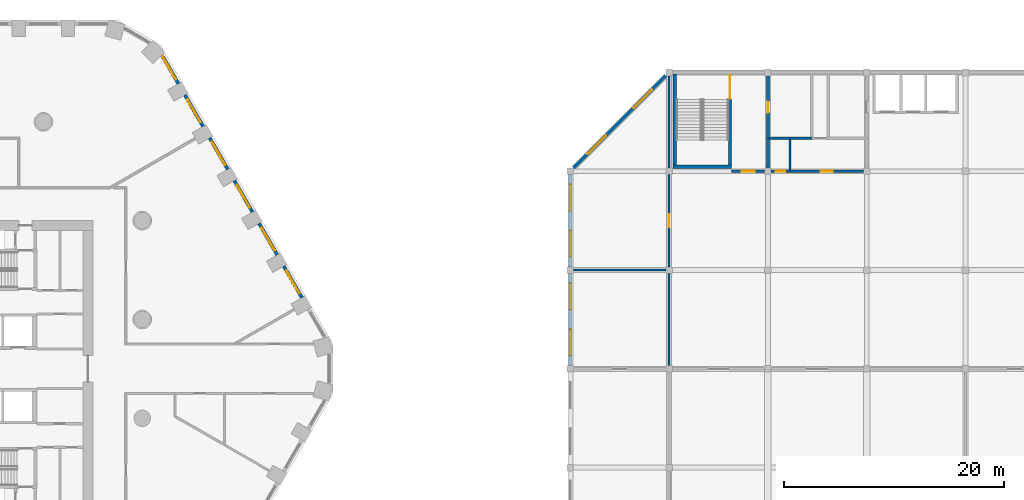
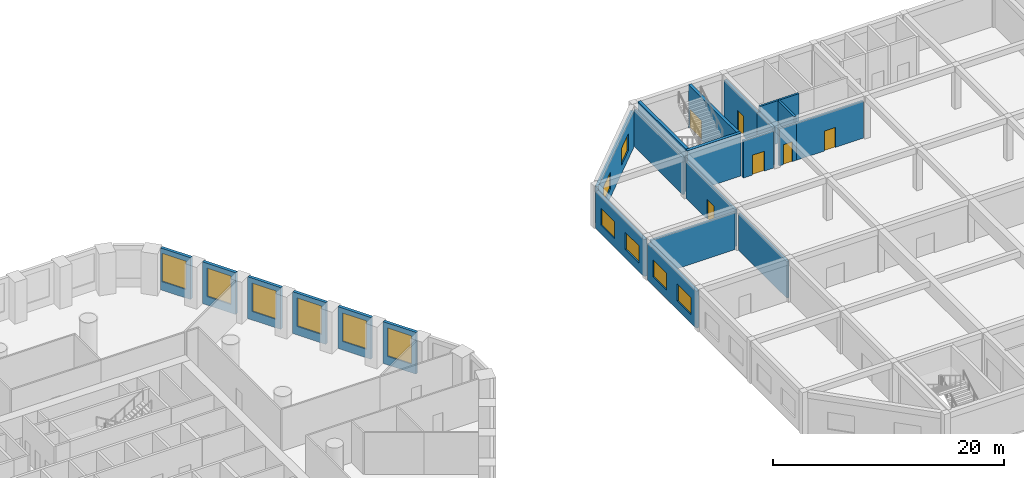
# One storey, part 14 of 26: 24 walls, 12 windows, 6 doors, 18 openings.
"""IFC4 building model written with IfcOpenShell, lengths in metres."""

from ifc_helpers import new_model, si_unit, direction, frame, frame_2d, origin, place, context, subcontext, project, spatial, rectangle, extrude, material, layer, layer_set, type_object, element, fill, save


model = new_model("IFC4")

# Units and contexts
model_context = context("Model", 3, precision=1e-05, world=origin(), true_north=direction((0.0, 1.0)))
body_context = subcontext(model_context, "Body", "Model", "MODEL_VIEW")
ifc_project = project(units=[si_unit("LENGTHUNIT", "METRE"), si_unit("AREAUNIT", "SQUARE_METRE"), si_unit("VOLUMEUNIT", "CUBIC_METRE"), si_unit("PLANEANGLEUNIT", "RADIAN"), si_unit("MASSUNIT", "GRAM", prefix="KILO")], contexts=[model_context])

# Site, building, storey
site_placement = place(None, origin())
site = spatial("IfcSite", under=ifc_project, at=site_placement, CompositionType="ELEMENT")
building_placement = place(site_placement, origin())
building = spatial("IfcBuilding", under=site, at=building_placement, Name="Dhurran Vertical Campus", CompositionType="ELEMENT")
storey_placement = place(building_placement, frame((0.0, 0.0, 15.60009765625)))
storey = spatial("IfcBuildingStorey", under=building, at=storey_placement, Name="L03", CompositionType="ELEMENT", Elevation=15.60009765625)

# Wall, opening, window
ifc_material_1 = material(Name="Precast concrete C50/60", Category="concrete")
ifc_layer_1 = layer(ifc_material_1, 0.300048828125)
ifc_layer_set_1 = layer_set([ifc_layer_1], Name="Precast concrete C50/60")
wall_type_1 = type_object("IfcWallType", Name="Precast spandrel wall 300", PredefinedType="SOLIDWALL", material=ifc_layer_set_1)
wall_1_placement = place(storey_placement, frame((37.043701171875, 6.4921875, 0.0), z_axis=(0.0, 0.0, 1.0), x_axis=(-0.499991515992, 0.866030301974, 0.0)))
wall_1 = element("IfcWall", 1, at=wall_1_placement, inside=storey, type_object=wall_type_1, Name="EW1 L03.19", PredefinedType="SOLIDWALL", context=body_context, shape_type="SweptSolid", body=[
    extrude(rectangle(XDim=3.298828125, YDim=0.300048828125, at=frame_2d((1.6494140625, 0.0))), origin(), (0.0, 0.0, 1.0), 4.39990234375),
])
opening_1_placement = place(wall_1_placement, frame((0.449462890625, 0.0, 0.89990234375)))
opening_1 = element("IfcOpeningElement", 2, at=opening_1_placement, cuts=wall_1, Name="Opening WT2", PredefinedType="OPENING", context=body_context, shape_type="SweptSolid", body=[
    extrude(rectangle(XDim=2.39990234375, YDim=3.0, at=frame_2d((1.199951171875, 1.5))), frame((0.0, 0.159912109375, 0.0), z_axis=(0.0, -1.0, 0.0), x_axis=(1.0, 0.0, 0.0)), (0.0, 0.0, 1.0), 0.320068359375),
])
ifc_material_2 = material(Name="Aluminium frame with solar-control glass", Category="aluminium")
window_type_1 = type_object("IfcWindowType", Name="Podium window 2400 x 3000", PartitioningType="SINGLE_PANEL", PredefinedType="WINDOW", material=ifc_material_2)
window_1_placement = place(opening_1_placement, origin())
window_1 = element("IfcWindow", 3, at=window_1_placement, inside=storey, type_object=window_type_1, Name="WT2 L03.19", OverallHeight=3.0, OverallWidth=2.39990234375, PartitioningType="SINGLE_PANEL", PredefinedType="WINDOW", context=body_context, shape_type="SweptSolid", body=[
    extrude(rectangle(XDim=2.39990234375, YDim=3.0, at=frame_2d((1.199951171875, 1.5))), frame((0.0, 0.030029296875, 0.0), z_axis=(0.0, -1.0, 0.0), x_axis=(1.0, 0.0, 0.0)), (0.0, 0.0, 1.0), 0.06005859375),
])
fill(opening_1, window_1)

wall_2_placement = place(storey_placement, frame((34.793701171875, 10.389404296875, 0.0), z_axis=(0.0, 0.0, 1.0), x_axis=(-0.499991515992, 0.866030301974, 0.0)))
wall_2 = element("IfcWall", 4, at=wall_2_placement, inside=storey, type_object=wall_type_1, Name="EW1 L03.20", PredefinedType="SOLIDWALL", context=body_context, shape_type="SweptSolid", body=[
    extrude(rectangle(XDim=3.298828125, YDim=0.300048828125, at=frame_2d((1.6494140625, 0.0))), origin(), (0.0, 0.0, 1.0), 4.39990234375),
])
opening_2_placement = place(wall_2_placement, frame((0.449462890625, 0.0, 0.89990234375)))
opening_2 = element("IfcOpeningElement", 5, at=opening_2_placement, cuts=wall_2, Name="Opening WT2", PredefinedType="OPENING", context=body_context, shape_type="SweptSolid", body=[
    extrude(rectangle(XDim=2.39990234375, YDim=3.0, at=frame_2d((1.199951171875, 1.5))), frame((0.0, 0.159912109375, 0.0), z_axis=(0.0, -1.0, 0.0), x_axis=(1.0, 0.0, 0.0)), (0.0, 0.0, 1.0), 0.320068359375),
])
window_2_placement = place(opening_2_placement, origin())
window_2 = element("IfcWindow", 6, at=window_2_placement, inside=storey, type_object=window_type_1, Name="WT2 L03.20", OverallHeight=3.0, OverallWidth=2.39990234375, PartitioningType="SINGLE_PANEL", PredefinedType="WINDOW", context=body_context, shape_type="SweptSolid", body=[
    extrude(rectangle(XDim=2.39990234375, YDim=3.0, at=frame_2d((1.199951171875, 1.5))), frame((0.0, 0.030029296875, 0.0), z_axis=(0.0, -1.0, 0.0), x_axis=(1.0, 0.0, 0.0)), (0.0, 0.0, 1.0), 0.06005859375),
])
fill(opening_2, window_2)

wall_3_placement = place(storey_placement, frame((32.543701171875, 14.286376953125, 0.0), z_axis=(0.0, 0.0, 1.0), x_axis=(-0.499991515992, 0.866030301974, 0.0)))
wall_3 = element("IfcWall", 7, at=wall_3_placement, inside=storey, type_object=wall_type_1, Name="EW1 L03.21", PredefinedType="SOLIDWALL", context=body_context, shape_type="SweptSolid", body=[
    extrude(rectangle(XDim=3.298828125, YDim=0.300048828125, at=frame_2d((1.6494140625, 0.0))), origin(), (0.0, 0.0, 1.0), 4.39990234375),
])
opening_3_placement = place(wall_3_placement, frame((0.449462890625, 0.0, 0.89990234375)))
opening_3 = element("IfcOpeningElement", 8, at=opening_3_placement, cuts=wall_3, Name="Opening WT2", PredefinedType="OPENING", context=body_context, shape_type="SweptSolid", body=[
    extrude(rectangle(XDim=2.39990234375, YDim=3.0, at=frame_2d((1.199951171875, 1.5))), frame((0.0, 0.159912109375, 0.0), z_axis=(0.0, -1.0, 0.0), x_axis=(1.0, 0.0, 0.0)), (0.0, 0.0, 1.0), 0.320068359375),
])
window_3_placement = place(opening_3_placement, origin())
window_3 = element("IfcWindow", 9, at=window_3_placement, inside=storey, type_object=window_type_1, Name="WT2 L03.21", OverallHeight=3.0, OverallWidth=2.39990234375, PartitioningType="SINGLE_PANEL", PredefinedType="WINDOW", context=body_context, shape_type="SweptSolid", body=[
    extrude(rectangle(XDim=2.39990234375, YDim=3.0, at=frame_2d((1.199951171875, 1.5))), frame((0.0, 0.030029296875, 0.0), z_axis=(0.0, -1.0, 0.0), x_axis=(1.0, 0.0, 0.0)), (0.0, 0.0, 1.0), 0.06005859375),
])
fill(opening_3, window_3)

wall_4_placement = place(storey_placement, frame((30.293701171875, 18.18359375, 0.0), z_axis=(0.0, 0.0, 1.0), x_axis=(-0.499991515992, 0.866030301974, 0.0)))
wall_4 = element("IfcWall", 10, at=wall_4_placement, inside=storey, type_object=wall_type_1, Name="EW1 L03.22", PredefinedType="SOLIDWALL", context=body_context, shape_type="SweptSolid", body=[
    extrude(rectangle(XDim=3.298828125, YDim=0.300048828125, at=frame_2d((1.6494140625, 0.0))), origin(), (0.0, 0.0, 1.0), 4.39990234375),
])
opening_4_placement = place(wall_4_placement, frame((0.449462890625, 0.0, 0.89990234375)))
opening_4 = element("IfcOpeningElement", 11, at=opening_4_placement, cuts=wall_4, Name="Opening WT2", PredefinedType="OPENING", context=body_context, shape_type="SweptSolid", body=[
    extrude(rectangle(XDim=2.39990234375, YDim=3.0, at=frame_2d((1.199951171875, 1.5))), frame((0.0, 0.159912109375, 0.0), z_axis=(0.0, -1.0, 0.0), x_axis=(1.0, 0.0, 0.0)), (0.0, 0.0, 1.0), 0.320068359375),
])
window_4_placement = place(opening_4_placement, origin())
window_4 = element("IfcWindow", 12, at=window_4_placement, inside=storey, type_object=window_type_1, Name="WT2 L03.22", OverallHeight=3.0, OverallWidth=2.39990234375, PartitioningType="SINGLE_PANEL", PredefinedType="WINDOW", context=body_context, shape_type="SweptSolid", body=[
    extrude(rectangle(XDim=2.39990234375, YDim=3.0, at=frame_2d((1.199951171875, 1.5))), frame((0.0, 0.030029296875, 0.0), z_axis=(0.0, -1.0, 0.0), x_axis=(1.0, 0.0, 0.0)), (0.0, 0.0, 1.0), 0.06005859375),
])
fill(opening_4, window_4)

wall_5_placement = place(storey_placement, frame((28.043701171875, 22.08056640625, 0.0), z_axis=(0.0, 0.0, 1.0), x_axis=(-0.499991515992, 0.866030301974, 0.0)))
wall_5 = element("IfcWall", 13, at=wall_5_placement, inside=storey, type_object=wall_type_1, Name="EW1 L03.23", PredefinedType="SOLIDWALL", context=body_context, shape_type="SweptSolid", body=[
    extrude(rectangle(XDim=3.298828125, YDim=0.300048828125, at=frame_2d((1.6494140625, 0.0))), origin(), (0.0, 0.0, 1.0), 4.39990234375),
])
opening_5_placement = place(wall_5_placement, frame((0.449462890625, 0.0, 0.89990234375)))
opening_5 = element("IfcOpeningElement", 14, at=opening_5_placement, cuts=wall_5, Name="Opening WT2", PredefinedType="OPENING", context=body_context, shape_type="SweptSolid", body=[
    extrude(rectangle(XDim=2.39990234375, YDim=3.0, at=frame_2d((1.199951171875, 1.5))), frame((0.0, 0.159912109375, 0.0), z_axis=(0.0, -1.0, 0.0), x_axis=(1.0, 0.0, 0.0)), (0.0, 0.0, 1.0), 0.320068359375),
])
window_5_placement = place(opening_5_placement, origin())
window_5 = element("IfcWindow", 15, at=window_5_placement, inside=storey, type_object=window_type_1, Name="WT2 L03.23", OverallHeight=3.0, OverallWidth=2.39990234375, PartitioningType="SINGLE_PANEL", PredefinedType="WINDOW", context=body_context, shape_type="SweptSolid", body=[
    extrude(rectangle(XDim=2.39990234375, YDim=3.0, at=frame_2d((1.199951171875, 1.5))), frame((0.0, 0.030029296875, 0.0), z_axis=(0.0, -1.0, 0.0), x_axis=(1.0, 0.0, 0.0)), (0.0, 0.0, 1.0), 0.06005859375),
])
fill(opening_5, window_5)

wall_6_placement = place(storey_placement, frame((25.793701171875, 25.977783203125, 0.0), z_axis=(0.0, 0.0, 1.0), x_axis=(-0.49999586137, 0.866027793211, 0.0)))
wall_6 = element("IfcWall", 16, at=wall_6_placement, inside=storey, type_object=wall_type_1, Name="EW1 L03.24", PredefinedType="SOLIDWALL", context=body_context, shape_type="SweptSolid", body=[
    extrude(rectangle(XDim=2.98876953125, YDim=0.300048828125, at=frame_2d((1.494384765625, 0.0))), origin(), (0.0, 0.0, 1.0), 4.39990234375),
])
opening_6_placement = place(wall_6_placement, frame((0.449462890625, 0.0, 0.89990234375)))
opening_6 = element("IfcOpeningElement", 17, at=opening_6_placement, cuts=wall_6, Name="Opening WT2", PredefinedType="OPENING", context=body_context, shape_type="SweptSolid", body=[
    extrude(rectangle(XDim=2.39990234375, YDim=3.0, at=frame_2d((1.199951171875, 1.5))), frame((0.0, 0.159912109375, 0.0), z_axis=(0.0, -1.0, 0.0), x_axis=(1.0, 0.0, 0.0)), (0.0, 0.0, 1.0), 0.320068359375),
])
window_6_placement = place(opening_6_placement, origin())
window_6 = element("IfcWindow", 18, at=window_6_placement, inside=storey, type_object=window_type_1, Name="WT2 L03.24", OverallHeight=3.0, OverallWidth=2.39990234375, PartitioningType="SINGLE_PANEL", PredefinedType="WINDOW", context=body_context, shape_type="SweptSolid", body=[
    extrude(rectangle(XDim=2.39990234375, YDim=3.0, at=frame_2d((1.199951171875, 1.5))), frame((0.0, 0.030029296875, 0.0), z_axis=(0.0, -1.0, 0.0), x_axis=(1.0, 0.0, 0.0)), (0.0, 0.0, 1.0), 0.06005859375),
])
fill(opening_6, window_6)

# Wall, openings, windows
ifc_material_3 = material(Name="Precast concrete C40/50", Category="concrete")
ifc_layer_2 = layer(ifc_material_3, 0.300048828125)
ifc_layer_set_2 = layer_set([ifc_layer_2], Name="Precast concrete C40/50")
wall_type_2 = type_object("IfcWallType", Name="hl-external wall precast 300", PredefinedType="SOLIDWALL", material=ifc_layer_set_2)
wall_7_placement = place(storey_placement, frame((70.199951171875, 26.699951171875, 0.0), z_axis=(0.0, 0.0, 1.0), x_axis=(-0.707106781187, -0.707106781187, 0.0)))
wall_7 = element("IfcWall", 19, at=wall_7_placement, inside=storey, type_object=wall_type_2, Name="Hall external wall L03-040", PredefinedType="SOLIDWALL", context=body_context, shape_type="SweptSolid", body=[
    extrude(rectangle(XDim=11.879150390625, YDim=0.300048828125, at=frame_2d((5.939453125, 0.0))), origin(), (0.0, 0.0, 1.0), 3.89990234375),
])
opening_7_placement = place(wall_7_placement, frame((1.769775390625, 0.0, 0.89990234375)))
opening_7 = element("IfcOpeningElement", 20, at=opening_7_placement, cuts=wall_7, Name="Opening HWN1", PredefinedType="OPENING", context=body_context, shape_type="SweptSolid", body=[
    extrude(rectangle(XDim=2.39990234375, YDim=1.800048828125, at=frame_2d((1.199951171875, 0.89990234375))), frame((0.0, 0.159912109375, 0.0), z_axis=(0.0, -1.0, 0.0), x_axis=(1.0, 0.0, 0.0)), (0.0, 0.0, 1.0), 0.320068359375),
])
opening_8_placement = place(wall_7_placement, frame((7.70947265625, 0.0, 0.89990234375)))
opening_8 = element("IfcOpeningElement", 21, at=opening_8_placement, cuts=wall_7, Name="Opening HWN1", PredefinedType="OPENING", context=body_context, shape_type="SweptSolid", body=[
    extrude(rectangle(XDim=2.39990234375, YDim=1.800048828125, at=frame_2d((1.199951171875, 0.89990234375))), frame((0.0, 0.159912109375, 0.0), z_axis=(0.0, -1.0, 0.0), x_axis=(1.0, 0.0, 0.0)), (0.0, 0.0, 1.0), 0.320068359375),
])
ifc_material_4 = material(Name="Aluminium", Category="aluminium")
window_type_2 = type_object("IfcWindowType", Name="hl-window 2400x1800", PartitioningType="SINGLE_PANEL", PredefinedType="WINDOW", material=ifc_material_4)
window_7_placement = place(opening_7_placement, origin())
window_7 = element("IfcWindow", 22, at=window_7_placement, inside=storey, type_object=window_type_2, Name="Hall window L03-075", OverallHeight=1.800048828125, OverallWidth=2.39990234375, PartitioningType="SINGLE_PANEL", PredefinedType="WINDOW", context=body_context, shape_type="SweptSolid", body=[
    extrude(rectangle(XDim=2.39990234375, YDim=1.800048828125, at=frame_2d((1.199951171875, 0.89990234375))), frame((0.0, 0.030029296875, 0.0), z_axis=(0.0, -1.0, 0.0), x_axis=(1.0, 0.0, 0.0)), (0.0, 0.0, 1.0), 0.06005859375),
])
fill(opening_7, window_7)
window_8_placement = place(opening_8_placement, origin())
window_8 = element("IfcWindow", 23, at=window_8_placement, inside=storey, type_object=window_type_2, Name="Hall window L03-076", OverallHeight=1.800048828125, OverallWidth=2.39990234375, PartitioningType="SINGLE_PANEL", PredefinedType="WINDOW", context=body_context, shape_type="SweptSolid", body=[
    extrude(rectangle(XDim=2.39990234375, YDim=1.800048828125, at=frame_2d((1.199951171875, 0.89990234375))), frame((0.0, 0.030029296875, 0.0), z_axis=(0.0, -1.0, 0.0), x_axis=(1.0, 0.0, 0.0)), (0.0, 0.0, 1.0), 0.06005859375),
])
fill(opening_8, window_8)

wall_8_placement = place(storey_placement, frame((61.5, 17.699951171875, 0.0), z_axis=(0.0, 0.0, 1.0), x_axis=(0.0, -1.0, 0.0)))
wall_8 = element("IfcWall", 24, at=wall_8_placement, inside=storey, type_object=wall_type_2, Name="Hall external wall L03-042", PredefinedType="SOLIDWALL", context=body_context, shape_type="SweptSolid", body=[
    extrude(rectangle(XDim=8.39990234375, YDim=0.300048828125, at=frame_2d((4.199951171875, 0.0))), origin(), (0.0, 0.0, 1.0), 3.89990234375),
])
opening_9_placement = place(wall_8_placement, frame((0.89990234375, 0.0, 0.89990234375)))
opening_9 = element("IfcOpeningElement", 25, at=opening_9_placement, cuts=wall_8, Name="Opening HWN1", PredefinedType="OPENING", context=body_context, shape_type="SweptSolid", body=[
    extrude(rectangle(XDim=2.39990234375, YDim=1.800048828125, at=frame_2d((1.199951171875, 0.89990234375))), frame((0.0, 0.159912109375, 0.0), z_axis=(0.0, -1.0, 0.0), x_axis=(1.0, 0.0, 0.0)), (0.0, 0.0, 1.0), 0.320068359375),
])
opening_10_placement = place(wall_8_placement, frame((5.10009765625, 0.0, 0.89990234375)))
opening_10 = element("IfcOpeningElement", 26, at=opening_10_placement, cuts=wall_8, Name="Opening HWN1", PredefinedType="OPENING", context=body_context, shape_type="SweptSolid", body=[
    extrude(rectangle(XDim=2.39990234375, YDim=1.800048828125, at=frame_2d((1.199951171875, 0.89990234375))), frame((0.0, 0.159912109375, 0.0), z_axis=(0.0, -1.0, 0.0), x_axis=(1.0, 0.0, 0.0)), (0.0, 0.0, 1.0), 0.320068359375),
])
window_9_placement = place(opening_9_placement, origin())
window_9 = element("IfcWindow", 27, at=window_9_placement, inside=storey, type_object=window_type_2, Name="Hall window L03-077", OverallHeight=1.800048828125, OverallWidth=2.39990234375, PartitioningType="SINGLE_PANEL", PredefinedType="WINDOW", context=body_context, shape_type="SweptSolid", body=[
    extrude(rectangle(XDim=2.39990234375, YDim=1.800048828125, at=frame_2d((1.199951171875, 0.89990234375))), frame((0.0, 0.030029296875, 0.0), z_axis=(0.0, -1.0, 0.0), x_axis=(1.0, 0.0, 0.0)), (0.0, 0.0, 1.0), 0.06005859375),
])
fill(opening_9, window_9)
window_10_placement = place(opening_10_placement, origin())
window_10 = element("IfcWindow", 28, at=window_10_placement, inside=storey, type_object=window_type_2, Name="Hall window L03-078", OverallHeight=1.800048828125, OverallWidth=2.39990234375, PartitioningType="SINGLE_PANEL", PredefinedType="WINDOW", context=body_context, shape_type="SweptSolid", body=[
    extrude(rectangle(XDim=2.39990234375, YDim=1.800048828125, at=frame_2d((1.199951171875, 0.89990234375))), frame((0.0, 0.030029296875, 0.0), z_axis=(0.0, -1.0, 0.0), x_axis=(1.0, 0.0, 0.0)), (0.0, 0.0, 1.0), 0.06005859375),
])
fill(opening_10, window_10)

wall_9_placement = place(storey_placement, frame((61.5, 8.699951171875, 0.0), z_axis=(0.0, 0.0, 1.0), x_axis=(0.0, -1.0, 0.0)))
wall_9 = element("IfcWall", 29, at=wall_9_placement, inside=storey, type_object=wall_type_2, Name="Hall external wall L03-044", PredefinedType="SOLIDWALL", context=body_context, shape_type="SweptSolid", body=[
    extrude(rectangle(XDim=8.39990234375, YDim=0.300048828125, at=frame_2d((4.199951171875, 0.0))), origin(), (0.0, 0.0, 1.0), 3.89990234375),
])
opening_11_placement = place(wall_9_placement, frame((0.89990234375, 0.0, 0.89990234375)))
opening_11 = element("IfcOpeningElement", 30, at=opening_11_placement, cuts=wall_9, Name="Opening HWN1", PredefinedType="OPENING", context=body_context, shape_type="SweptSolid", body=[
    extrude(rectangle(XDim=2.39990234375, YDim=1.800048828125, at=frame_2d((1.199951171875, 0.89990234375))), frame((0.0, 0.159912109375, 0.0), z_axis=(0.0, -1.0, 0.0), x_axis=(1.0, 0.0, 0.0)), (0.0, 0.0, 1.0), 0.320068359375),
])
opening_12_placement = place(wall_9_placement, frame((5.10009765625, 0.0, 0.89990234375)))
opening_12 = element("IfcOpeningElement", 31, at=opening_12_placement, cuts=wall_9, Name="Opening HWN1", PredefinedType="OPENING", context=body_context, shape_type="SweptSolid", body=[
    extrude(rectangle(XDim=2.39990234375, YDim=1.800048828125, at=frame_2d((1.199951171875, 0.89990234375))), frame((0.0, 0.159912109375, 0.0), z_axis=(0.0, -1.0, 0.0), x_axis=(1.0, 0.0, 0.0)), (0.0, 0.0, 1.0), 0.320068359375),
])
window_11_placement = place(opening_11_placement, origin())
window_11 = element("IfcWindow", 32, at=window_11_placement, inside=storey, type_object=window_type_2, Name="Hall window L03-079", OverallHeight=1.800048828125, OverallWidth=2.39990234375, PartitioningType="SINGLE_PANEL", PredefinedType="WINDOW", context=body_context, shape_type="SweptSolid", body=[
    extrude(rectangle(XDim=2.39990234375, YDim=1.800048828125, at=frame_2d((1.199951171875, 0.89990234375))), frame((0.0, 0.030029296875, 0.0), z_axis=(0.0, -1.0, 0.0), x_axis=(1.0, 0.0, 0.0)), (0.0, 0.0, 1.0), 0.06005859375),
])
fill(opening_11, window_11)
window_12_placement = place(opening_12_placement, origin())
window_12 = element("IfcWindow", 33, at=window_12_placement, inside=storey, type_object=window_type_2, Name="Hall window L03-080", OverallHeight=1.800048828125, OverallWidth=2.39990234375, PartitioningType="SINGLE_PANEL", PredefinedType="WINDOW", context=body_context, shape_type="SweptSolid", body=[
    extrude(rectangle(XDim=2.39990234375, YDim=1.800048828125, at=frame_2d((1.199951171875, 0.89990234375))), frame((0.0, 0.030029296875, 0.0), z_axis=(0.0, -1.0, 0.0), x_axis=(1.0, 0.0, 0.0)), (0.0, 0.0, 1.0), 0.06005859375),
])
fill(opening_12, window_12)

# Walls
ifc_material_5 = material(Name="Masonry blockwork", Category="masonry")
ifc_layer_3 = layer(ifc_material_5, 0.199951171875)
ifc_layer_set_3 = layer_set([ifc_layer_3], Name="Masonry blockwork")
wall_type_3 = type_object("IfcWallType", Name="hl-partition blockwork 200 EI 60", PredefinedType="PARTITIONING", material=ifc_layer_set_3)
for number, where, z_axis, x_axis, name in (
    (34, (61.800048828125, 9.0, 0.0), (0.0, 0.0, 1.0), (1.0, 0.0, 0.0), "Hall partition L03-002"),
    (35, (70.5, 0.300048828125, 0.0), (0.0, 0.0, 1.0), (0.0, 1.0, 0.0), "Hall partition L03-006"),
):
    element("IfcWall", number, at=place(storey_placement, frame(where, z_axis=z_axis, x_axis=x_axis)), inside=storey, type_object=wall_type_3, Name=name, PredefinedType="PARTITIONING", context=body_context, shape_type="SweptSolid", body=[
        extrude(rectangle(XDim=8.39990234375, YDim=0.199951171875, at=frame_2d((4.199951171875, 0.0))), origin(), (0.0, 0.0, 1.0), 3.89990234375),
    ])

# Wall, opening, door
wall_10_placement = place(storey_placement, frame((70.5, 9.300048828125, 0.0), z_axis=(0.0, 0.0, 1.0), x_axis=(0.0, 1.0, 0.0)))
wall_10 = element("IfcWall", 36, at=wall_10_placement, inside=storey, type_object=wall_type_3, Name="Hall partition L03-010", PredefinedType="PARTITIONING", context=body_context, shape_type="SweptSolid", body=[
    extrude(rectangle(XDim=8.39990234375, YDim=0.199951171875, at=frame_2d((4.199951171875, 0.0))), origin(), (0.0, 0.0, 1.0), 3.89990234375),
])
opening_13_placement = place(wall_10_placement, frame((3.60009765625, 0.0, 0.0)))
opening_13 = element("IfcOpeningElement", 37, at=opening_13_placement, cuts=wall_10, Name="Opening HD316", PredefinedType="OPENING", context=body_context, shape_type="SweptSolid", body=[
    extrude(rectangle(XDim=1.199951171875, YDim=2.10009765625, at=frame_2d((0.60009765625, 1.050048828125))), frame((0.0, 0.10986328125, 0.0), z_axis=(0.0, -1.0, 0.0), x_axis=(1.0, 0.0, 0.0)), (0.0, 0.0, 1.0), 0.219970703125),
])
ifc_material_6 = material(Name="Fire-rated steel door set", Category="steel")
door_type_1 = type_object("IfcDoorType", Name="hl-door 1200x2100 single FD30S", OperationType="NOTDEFINED", PredefinedType="DOOR", material=ifc_material_6)
door_1_placement = place(opening_13_placement, origin())
door_1 = element("IfcDoor", 38, at=door_1_placement, inside=storey, type_object=door_type_1, Name="Door HD316", OperationType="SINGLE_SWING_RIGHT", OverallHeight=2.10009765625, OverallWidth=1.199951171875, PredefinedType="DOOR", context=body_context, shape_type="SweptSolid", body=[
    extrude(rectangle(XDim=1.199951171875, YDim=2.10009765625, at=frame_2d((0.60009765625, 1.050048828125))), frame((0.0, 0.02490234375, 0.0), z_axis=(0.0, -1.0, 0.0), x_axis=(1.0, 0.0, 0.0)), (0.0, 0.0, 1.0), 0.050048828125),
])
fill(opening_13, door_1)

# Wall
wall_11_placement = place(storey_placement, frame((70.5, 18.300048828125, 0.0), z_axis=(0.0, 0.0, 1.0), x_axis=(0.0, 1.0, 0.0)))
element("IfcWall", 39, at=wall_11_placement, inside=storey, type_object=wall_type_3, Name="Hall partition L03-011", PredefinedType="PARTITIONING", context=body_context, shape_type="SweptSolid", body=[
    extrude(rectangle(XDim=8.39990234375, YDim=0.199951171875, at=frame_2d((4.199951171875, 0.0))), origin(), (0.0, 0.0, 1.0), 3.89990234375),
])

# Wall, opening, door
wall_12_placement = place(storey_placement, frame((79.800048828125, 18.0, 0.0), z_axis=(0.0, 0.0, 1.0), x_axis=(1.0, 0.0, 0.0)))
wall_12 = element("IfcWall", 40, at=wall_12_placement, inside=storey, type_object=wall_type_3, Name="Hall partition L03-020", PredefinedType="PARTITIONING", context=body_context, shape_type="SweptSolid", body=[
    extrude(rectangle(XDim=1.699951171875, YDim=0.199951171875, at=frame_2d((0.85009765625, 0.0))), origin(), (0.0, 0.0, 1.0), 3.89990234375),
])
opening_14_placement = place(wall_12_placement, frame((0.39990234375, 0.0, 0.0)))
opening_14 = element("IfcOpeningElement", 41, at=opening_14_placement, cuts=wall_12, Name="Opening HD318", PredefinedType="OPENING", context=body_context, shape_type="SweptSolid", body=[
    extrude(rectangle(XDim=0.89990234375, YDim=2.10009765625, at=frame_2d((0.449951171875, 1.050048828125))), frame((0.0, 0.10986328125, 0.0), z_axis=(0.0, -1.0, 0.0), x_axis=(1.0, 0.0, 0.0)), (0.0, 0.0, 1.0), 0.219970703125),
])
ifc_material_7 = material(Name="Fire-rated steel door set", Category="steel")
door_type_2 = type_object("IfcDoorType", Name="hl-door 900x2100 single FD30S", OperationType="NOTDEFINED", PredefinedType="DOOR", material=ifc_material_7)
door_2_placement = place(opening_14_placement, origin())
door_2 = element("IfcDoor", 42, at=door_2_placement, inside=storey, type_object=door_type_2, Name="Door HD318", OperationType="SINGLE_SWING_RIGHT", OverallHeight=2.10009765625, OverallWidth=0.89990234375, PredefinedType="DOOR", context=body_context, shape_type="SweptSolid", body=[
    extrude(rectangle(XDim=0.89990234375, YDim=2.10009765625, at=frame_2d((0.449951171875, 1.050048828125))), frame((0.0, 0.02490234375, 0.0), z_axis=(0.0, -1.0, 0.0), x_axis=(1.0, 0.0, 0.0)), (0.0, 0.0, 1.0), 0.050048828125),
])
fill(opening_14, door_2)

# Walls
wall_13_placement = place(storey_placement, frame((79.60009765625, 21.0, 0.0), z_axis=(0.0, 0.0, 1.0), x_axis=(1.0, 0.0, 0.0)))
element("IfcWall", 43, at=wall_13_placement, inside=storey, type_object=wall_type_3, Name="Hall partition L03-022", PredefinedType="PARTITIONING", context=body_context, shape_type="SweptSolid", body=[
    extrude(rectangle(XDim=1.89990234375, YDim=0.199951171875, at=frame_2d((0.949951171875, 0.0))), origin(), (0.0, 0.0, 1.0), 4.52001953125),
])
wall_14_placement = place(storey_placement, frame((81.5, 18.10009765625, 0.0), z_axis=(0.0, 0.0, 1.0), x_axis=(0.0, 1.0, 0.0)))
element("IfcWall", 44, at=wall_14_placement, inside=storey, type_object=wall_type_3, Name="Hall partition L03-023", PredefinedType="PARTITIONING", context=body_context, shape_type="SweptSolid", body=[
    extrude(rectangle(XDim=2.89990234375, YDim=0.199951171875, at=frame_2d((1.449951171875, 0.0))), origin(), (0.0, 0.0, 1.0), 4.52001953125),
])

# Wall, opening, door
wall_15_placement = place(storey_placement, frame((81.5, 18.0, 0.0), z_axis=(0.0, 0.0, 1.0), x_axis=(1.0, 0.0, 0.0)))
wall_15 = element("IfcWall", 45, at=wall_15_placement, inside=storey, type_object=wall_type_3, Name="Hall partition L03-024", PredefinedType="PARTITIONING", context=body_context, shape_type="SweptSolid", body=[
    extrude(rectangle(XDim=6.699951171875, YDim=0.199951171875, at=frame_2d((3.35009765625, 0.0))), origin(), (0.0, 0.0, 1.0), 3.89990234375),
])
opening_15_placement = place(wall_15_placement, frame((2.800048828125, 0.0, 0.0)))
opening_15 = element("IfcOpeningElement", 46, at=opening_15_placement, cuts=wall_15, Name="Opening HD317", PredefinedType="OPENING", context=body_context, shape_type="SweptSolid", body=[
    extrude(rectangle(XDim=1.10009765625, YDim=2.10009765625, at=frame_2d((0.550048828125, 1.050048828125))), frame((0.0, 0.10986328125, 0.0), z_axis=(0.0, -1.0, 0.0), x_axis=(1.0, 0.0, 0.0)), (0.0, 0.0, 1.0), 0.219970703125),
])
ifc_material_8 = material(Name="Fire-rated steel door set", Category="steel")
door_type_3 = type_object("IfcDoorType", Name="hl-door 1100x2100 single FD30S", OperationType="NOTDEFINED", PredefinedType="DOOR", material=ifc_material_8)
door_3_placement = place(opening_15_placement, origin())
door_3 = element("IfcDoor", 47, at=door_3_placement, inside=storey, type_object=door_type_3, Name="Door HD317", OperationType="SINGLE_SWING_LEFT", OverallHeight=2.10009765625, OverallWidth=1.10009765625, PredefinedType="DOOR", context=body_context, shape_type="SweptSolid", body=[
    extrude(rectangle(XDim=1.10009765625, YDim=2.10009765625, at=frame_2d((0.550048828125, 1.050048828125))), frame((0.0, 0.02490234375, 0.0), z_axis=(0.0, -1.0, 0.0), x_axis=(1.0, 0.0, 0.0)), (0.0, 0.0, 1.0), 0.050048828125),
])
fill(opening_15, door_3)

# Wall
wall_16_placement = place(storey_placement, frame((81.5, 21.0, 0.0), z_axis=(0.0, 0.0, 1.0), x_axis=(1.0, 0.0, 0.0)))
element("IfcWall", 48, at=wall_16_placement, inside=storey, type_object=wall_type_3, Name="Hall partition L03-025", PredefinedType="PARTITIONING", context=body_context, shape_type="SweptSolid", body=[
    extrude(rectangle(XDim=2.0, YDim=0.199951171875, at=frame_2d((1.0, 0.0))), origin(), (0.0, 0.0, 1.0), 4.52001953125),
])

# Wall, opening, door
ifc_material_9 = material(Name="Masonry blockwork", Category="masonry")
ifc_layer_4 = layer(ifc_material_9, 0.25)
ifc_layer_set_4 = layer_set([ifc_layer_4], Name="Masonry blockwork")
wall_type_4 = type_object("IfcWallType", Name="hl-partition blockwork 250 EI 120", PredefinedType="PARTITIONING", material=ifc_layer_set_4)
wall_17_placement = place(storey_placement, frame((76.199951171875, 18.0, 0.0), z_axis=(0.0, 0.0, 1.0), x_axis=(1.0, 0.0, 0.0)))
wall_17 = element("IfcWall", 49, at=wall_17_placement, inside=storey, type_object=wall_type_4, Name="Hall partition L03-013", PredefinedType="PARTITIONING", context=body_context, shape_type="SweptSolid", body=[
    extrude(rectangle(XDim=3.0, YDim=0.25, at=frame_2d((1.5, 0.0))), origin(), (0.0, 0.0, 1.0), 3.89990234375),
])
opening_16_placement = place(wall_17_placement, frame((0.89990234375, 0.0, 0.0)))
opening_16 = element("IfcOpeningElement", 50, at=opening_16_placement, cuts=wall_17, Name="Opening HD303", PredefinedType="OPENING", context=body_context, shape_type="SweptSolid", body=[
    extrude(rectangle(XDim=1.199951171875, YDim=2.10009765625, at=frame_2d((0.60009765625, 1.050048828125))), frame((0.0, 0.135009765625, 0.0), z_axis=(0.0, -1.0, 0.0), x_axis=(1.0, 0.0, 0.0)), (0.0, 0.0, 1.0), 0.27001953125),
])
ifc_material_10 = material(Name="Fire-rated steel door set", Category="steel")
door_type_4 = type_object("IfcDoorType", Name="hl-door 1200x2100 single FD90", OperationType="NOTDEFINED", PredefinedType="DOOR", material=ifc_material_10)
door_4_placement = place(opening_16_placement, origin())
door_4 = element("IfcDoor", 51, at=door_4_placement, inside=storey, type_object=door_type_4, Name="Door HD303", OperationType="SINGLE_SWING_LEFT", OverallHeight=2.10009765625, OverallWidth=1.199951171875, PredefinedType="DOOR", context=body_context, shape_type="SweptSolid", body=[
    extrude(rectangle(XDim=1.199951171875, YDim=2.10009765625, at=frame_2d((0.60009765625, 1.050048828125))), frame((0.0, 0.02490234375, 0.0), z_axis=(0.0, -1.0, 0.0), x_axis=(1.0, 0.0, 0.0)), (0.0, 0.0, 1.0), 0.050048828125),
])
fill(opening_16, door_4)

# Wall
wall_18_placement = place(storey_placement, frame((79.5, 18.300048828125, 0.0), z_axis=(0.0, 0.0, 1.0), x_axis=(0.0, 1.0, 0.0)))
element("IfcWall", 52, at=wall_18_placement, inside=storey, type_object=wall_type_4, Name="Hall partition L03-019", PredefinedType="PARTITIONING", context=body_context, shape_type="SweptSolid", body=[
    extrude(rectangle(XDim=2.699951171875, YDim=0.25, at=frame_2d((1.35009765625, 0.0))), origin(), (0.0, 0.0, 1.0), 3.89990234375),
])

# Wall, opening, door
wall_19_placement = place(storey_placement, frame((79.5, 21.0, 0.0), z_axis=(0.0, 0.0, 1.0), x_axis=(0.0, 1.0, 0.0)))
wall_19 = element("IfcWall", 53, at=wall_19_placement, inside=storey, type_object=wall_type_4, Name="Hall partition L03-021", PredefinedType="PARTITIONING", context=body_context, shape_type="SweptSolid", body=[
    extrude(rectangle(XDim=5.699951171875, YDim=0.25, at=frame_2d((2.85009765625, 0.0))), origin(), (0.0, 0.0, 1.0), 3.89990234375),
])
opening_17_placement = place(wall_19_placement, frame((2.35009765625, 0.0, 0.0)))
opening_17 = element("IfcOpeningElement", 54, at=opening_17_placement, cuts=wall_19, Name="Opening HD319", PredefinedType="OPENING", context=body_context, shape_type="SweptSolid", body=[
    extrude(rectangle(XDim=1.0, YDim=2.10009765625, at=frame_2d((0.5, 1.050048828125))), frame((0.0, 0.135009765625, 0.0), z_axis=(0.0, -1.0, 0.0), x_axis=(1.0, 0.0, 0.0)), (0.0, 0.0, 1.0), 0.27001953125),
])
ifc_material_11 = material(Name="Fire-rated steel door set", Category="steel")
door_type_5 = type_object("IfcDoorType", Name="hl-door 1000x2100 single FD90", OperationType="NOTDEFINED", PredefinedType="DOOR", material=ifc_material_11)
door_5_placement = place(opening_17_placement, origin())
door_5 = element("IfcDoor", 55, at=door_5_placement, inside=storey, type_object=door_type_5, Name="Door HD319", OperationType="SINGLE_SWING_LEFT", OverallHeight=2.10009765625, OverallWidth=1.0, PredefinedType="DOOR", context=body_context, shape_type="SweptSolid", body=[
    extrude(rectangle(XDim=1.0, YDim=2.10009765625, at=frame_2d((0.5, 1.050048828125))), frame((0.0, 0.02490234375, 0.0), z_axis=(0.0, -1.0, 0.0), x_axis=(1.0, 0.0, 0.0)), (0.0, 0.0, 1.0), 0.050048828125),
])
fill(opening_17, door_5)

# Wall
ifc_material_12 = material(Name="Concrete C40/50", Category="concrete")
ifc_layer_5 = layer(ifc_material_12, 0.300048828125)
ifc_layer_set_5 = layer_set([ifc_layer_5], Name="Concrete C40/50")
wall_type_5 = type_object("IfcWallType", Name="hl-stair shaft wall 300", PredefinedType="SHEAR", material=ifc_layer_set_5)
wall_20_placement = place(storey_placement, frame((71.0, 26.85009765625, 0.0), z_axis=(0.0, 0.0, 1.0), x_axis=(0.0, -1.0, 0.0)))
element("IfcWall", 56, at=wall_20_placement, inside=storey, type_object=wall_type_5, Name="Stair shaft wall HST3 W L03", PredefinedType="SHEAR", context=body_context, shape_type="SweptSolid", body=[
    extrude(rectangle(XDim=8.300048828125, YDim=0.300048828125, at=frame_2d((4.14990234375, 0.0))), origin(), (0.0, 0.0, 1.0), 4.52001953125),
])

# Wall, opening, door
wall_21_placement = place(storey_placement, frame((76.050048828125, 26.85009765625, 0.0), z_axis=(0.0, 0.0, 1.0), x_axis=(0.0, -1.0, 0.0)))
wall_21 = element("IfcWall", 57, at=wall_21_placement, inside=storey, type_object=wall_type_5, Name="Stair shaft wall HST3 E L03", PredefinedType="SHEAR", context=body_context, shape_type="SweptSolid", body=[
    extrude(rectangle(XDim=8.300048828125, YDim=0.300048828125, at=frame_2d((4.14990234375, 0.0))), origin(), (0.0, 0.0, 1.0), 4.52001953125),
])
opening_18_placement = place(wall_21_placement, frame((0.050048828125, 0.0, 0.0)))
opening_18 = element("IfcOpeningElement", 58, at=opening_18_placement, cuts=wall_21, Name="Opening HDS33", PredefinedType="OPENING", context=body_context, shape_type="SweptSolid", body=[
    extrude(rectangle(XDim=2.199951171875, YDim=2.10009765625, at=frame_2d((1.10009765625, 1.050048828125))), frame((0.0, 0.159912109375, 0.0), z_axis=(0.0, -1.0, 0.0), x_axis=(1.0, 0.0, 0.0)), (0.0, 0.0, 1.0), 0.320068359375),
])
ifc_material_13 = material(Name="Fire-rated steel door set", Category="steel")
door_type_6 = type_object("IfcDoorType", Name="hl-door 2200x2100 double FD90", OperationType="NOTDEFINED", PredefinedType="DOOR", material=ifc_material_13)
door_6_placement = place(opening_18_placement, origin())
door_6 = element("IfcDoor", 59, at=door_6_placement, inside=storey, type_object=door_type_6, Name="Door HDS33", OperationType="DOUBLE_DOOR_SINGLE_SWING", OverallHeight=2.10009765625, OverallWidth=2.199951171875, PredefinedType="DOOR", context=body_context, shape_type="SweptSolid", body=[
    extrude(rectangle(XDim=2.199951171875, YDim=2.10009765625, at=frame_2d((1.10009765625, 1.050048828125))), frame((0.0, 0.02490234375, 0.0), z_axis=(0.0, -1.0, 0.0), x_axis=(1.0, 0.0, 0.0)), (0.0, 0.0, 1.0), 0.050048828125),
])
fill(opening_18, door_6)

# Wall
wall_22_placement = place(storey_placement, frame((70.85009765625, 18.39990234375, 0.0), z_axis=(0.0, 0.0, 1.0), x_axis=(1.0, 0.0, 0.0)))
element("IfcWall", 60, at=wall_22_placement, inside=storey, type_object=wall_type_5, Name="Stair shaft wall HST3 F L03", PredefinedType="SHEAR", context=body_context, shape_type="SweptSolid", body=[
    extrude(rectangle(XDim=5.349853515625, YDim=0.300048828125, at=frame_2d((2.6748046875, 0.0))), origin(), (0.0, 0.0, 1.0), 4.52001953125),
])

save(model, "model.ifc")
